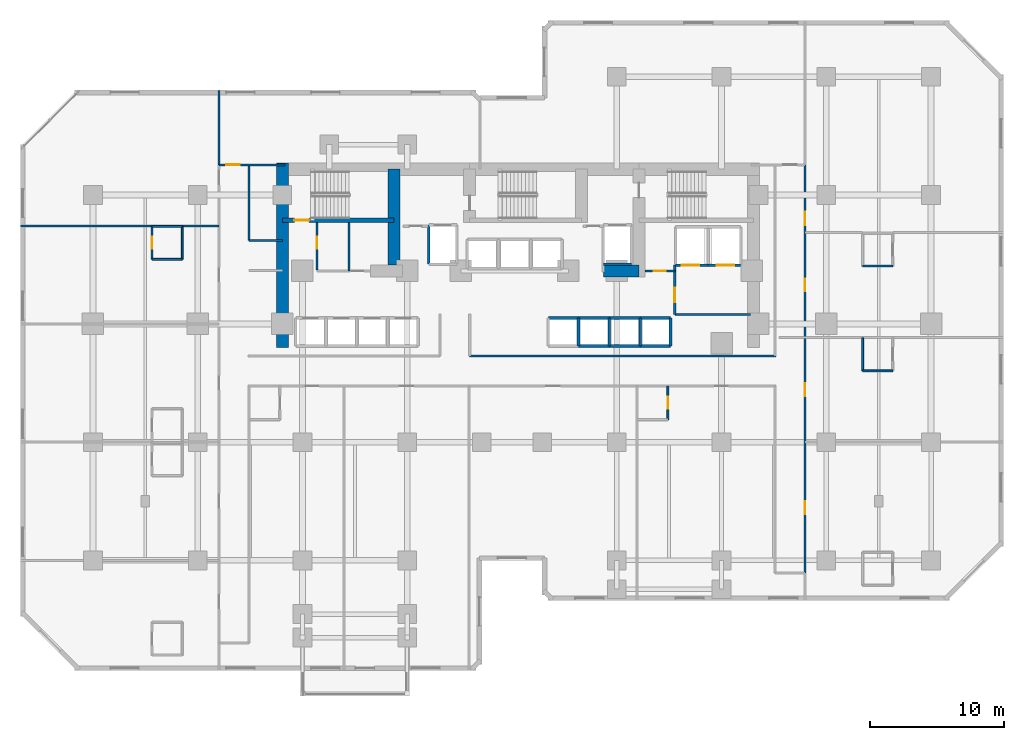
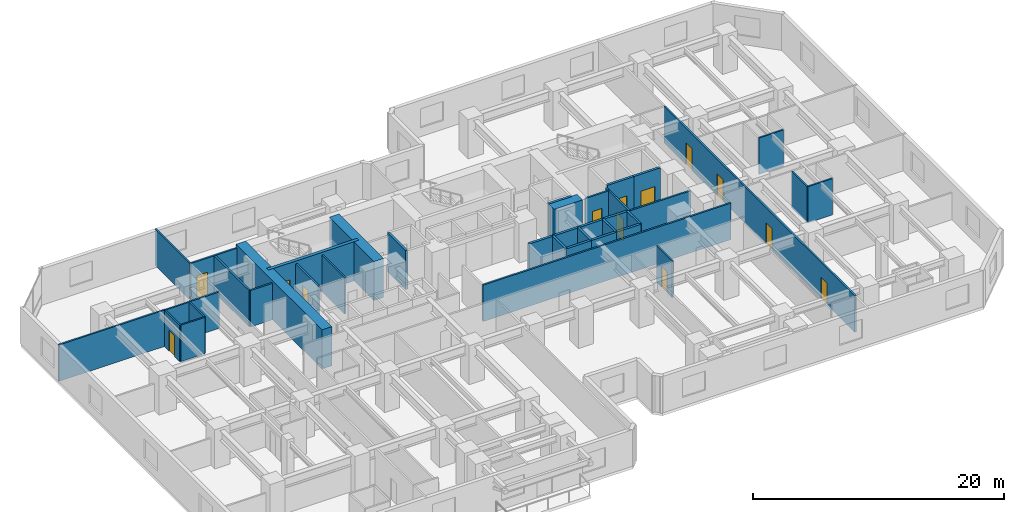
# One storey, part 7 of 11: 40 walls, 13 doors, 13 openings.
"""IFC4 building model written with IfcOpenShell, lengths in metres."""

from ifc_helpers import new_model, si_unit, direction, frame, frame_2d, origin, place, context, subcontext, project, spatial, rectangle, extrude, material, layer, layer_set, type_object, element, fill, save


model = new_model("IFC4")

# Units and contexts
model_context = context("Model", 3, precision=1e-05, world=origin(), true_north=direction((0.0, 1.0)))
body_context = subcontext(model_context, "Body", "Model", "MODEL_VIEW")
ifc_project = project(units=[si_unit("LENGTHUNIT", "METRE"), si_unit("AREAUNIT", "SQUARE_METRE"), si_unit("VOLUMEUNIT", "CUBIC_METRE"), si_unit("PLANEANGLEUNIT", "RADIAN"), si_unit("MASSUNIT", "GRAM", prefix="KILO")], contexts=[model_context])

# Site, building, storey
site_placement = place(None, origin())
site = spatial("IfcSite", under=ifc_project, at=site_placement, CompositionType="ELEMENT")
building_placement = place(site_placement, origin())
building = spatial("IfcBuilding", under=site, at=building_placement, Name="Kestravale Grand Hotel", CompositionType="ELEMENT")
storey_placement = place(building_placement, frame((0.0, 0.0, 37.39990234375)))
storey = spatial("IfcBuildingStorey", under=building, at=storey_placement, Name="L08", CompositionType="ELEMENT", Elevation=37.39990234375)

# Walls
ifc_material_1 = material(Name="Concrete f'c 70 MPa", Category="concrete")
ifc_layer_1 = layer(ifc_material_1, 0.89990234375)
ifc_layer_set_1 = layer_set([ifc_layer_1], Name="EW-CORE-900")
wall_type_1 = type_object("IfcWallType", Name="EW-CORE-900", PredefinedType="SHEAR", material=ifc_layer_set_1)
wall_1_placement = place(storey_placement, frame((21.89990234375, 27.050048828125, 0.0), z_axis=(0.0, 0.0, 1.0), x_axis=(0.0, 1.0, 0.0)))
element("IfcWall", 1, at=wall_1_placement, inside=storey, type_object=wall_type_1, Name="L08 core shear wall W1", PredefinedType="SHEAR", context=body_context, shape_type="SweptSolid", body=[
    extrude(rectangle(XDim=13.719970703125, YDim=0.89990234375, at=frame_2d((6.85986328125, 0.0))), origin(), (0.0, 0.0, 1.0), 3.800048828125),
])
wall_2_placement = place(storey_placement, frame((45.81005859375, 32.75, 0.0), z_axis=(0.0, 0.0, 1.0), x_axis=(1.0, 0.0, 0.0)))
element("IfcWall", 2, at=wall_2_placement, inside=storey, type_object=wall_type_1, Name="L08 core shear wall S2", PredefinedType="SHEAR", context=body_context, shape_type="SweptSolid", body=[
    extrude(rectangle(XDim=2.639892578125, YDim=0.89990234375, at=frame_2d((1.31982421875, 0.0))), origin(), (0.0, 0.0, 1.0), 3.800048828125),
])
wall_3_placement = place(storey_placement, frame((30.219970703125, 33.199951171875, 0.0), z_axis=(0.0, 0.0, 1.0), x_axis=(0.0, 1.0, 0.0)))
element("IfcWall", 3, at=wall_3_placement, inside=storey, type_object=wall_type_1, Name="L08 core shear wall X1", PredefinedType="SHEAR", context=body_context, shape_type="SweptSolid", body=[
    extrude(rectangle(XDim=7.1201171875, YDim=0.89990234375, at=frame_2d((3.56005859375, 0.0))), origin(), (0.0, 0.0, 1.0), 3.800048828125),
])

# Wall, opening, door
ifc_material_2 = material(Name="Concrete f'c 45 MPa", Category="concrete")
ifc_layer_2 = layer(ifc_material_2, 0.300048828125)
ifc_layer_set_2 = layer_set([ifc_layer_2], Name="EW-STAIR-300")
wall_type_2 = type_object("IfcWallType", Name="EW-STAIR-300", PredefinedType="SHEAR", material=ifc_layer_set_2)
wall_4_placement = place(storey_placement, frame((21.89990234375, 36.52001953125, 0.0), z_axis=(0.0, 0.0, 1.0), x_axis=(1.0, 0.0, 0.0)))
wall_4 = element("IfcWall", 4, at=wall_4_placement, inside=storey, type_object=wall_type_2, Name="L08 stair enclosure shear wall SST1", PredefinedType="SHEAR", context=body_context, shape_type="SweptSolid", body=[
    extrude(rectangle(XDim=8.320068359375, YDim=0.300048828125, at=frame_2d((4.16015625, 0.0))), origin(), (0.0, 0.0, 1.0), 3.800048828125),
])
opening_1_placement = place(wall_4_placement, frame((0.89990234375, 0.0, 0.0)))
opening_1 = element("IfcOpeningElement", 5, at=opening_1_placement, cuts=wall_4, Name="Opening D-ST-1100", PredefinedType="OPENING", context=body_context, shape_type="SweptSolid", body=[
    extrude(rectangle(XDim=1.10009765625, YDim=2.14990234375, at=frame_2d((0.550048828125, 1.074951171875))), frame((0.0, 0.159912109375, 0.0), z_axis=(0.0, -1.0, 0.0), x_axis=(1.0, 0.0, 0.0)), (0.0, 0.0, 1.0), 0.320068359375),
])
ifc_material_3 = material(Name="Galvanised 90-minute fire-rated steel stair door", Category="steel")
door_type_1 = type_object("IfcDoorType", Name="D-ST-1100", OperationType="NOTDEFINED", PredefinedType="DOOR", material=ifc_material_3)
door_1_placement = place(opening_1_placement, origin())
door_1 = element("IfcDoor", 6, at=door_1_placement, inside=storey, type_object=door_type_1, Name="L08 Stair ST-1 fire door", OperationType="SINGLE_SWING_RIGHT", OverallHeight=2.14990234375, OverallWidth=1.10009765625, PredefinedType="DOOR", context=body_context, shape_type="SweptSolid", body=[
    extrude(rectangle(XDim=1.10009765625, YDim=2.14990234375, at=frame_2d((0.550048828125, 1.074951171875))), frame((0.0, 0.02490234375, 0.0), z_axis=(0.0, -1.0, 0.0), x_axis=(1.0, 0.0, 0.0)), (0.0, 0.0, 1.0), 0.050048828125),
])
fill(opening_1, door_1)

ifc_material_4 = material(Name="Acoustic fire-rated gypsum board partition", Category="other")
ifc_layer_3 = layer(ifc_material_4, 0.159912109375)
ifc_layer_set_3 = layer_set([ifc_layer_3], Name="IW-CORR-160")
wall_type_3 = type_object("IfcWallType", Name="IW-CORR-160", PredefinedType="PARTITIONING", material=ifc_layer_set_3)
wall_5_placement = place(storey_placement, frame((24.47998046875, 32.800048828125, 0.0), z_axis=(0.0, 0.0, 1.0), x_axis=(0.0, 1.0, 0.0)))
wall_5 = element("IfcWall", 7, at=wall_5_placement, inside=storey, type_object=wall_type_3, Name="L08 west core vestibule wall", PredefinedType="PARTITIONING", context=body_context, shape_type="SweptSolid", body=[
    extrude(rectangle(XDim=3.570068359375, YDim=0.159912109375, at=frame_2d((1.78515625, 0.0))), origin(), (0.0, 0.0, 1.0), 3.5400390625),
])
opening_2_placement = place(wall_5_placement, frame((1.603515625, 0.0, 0.0)))
opening_2 = element("IfcOpeningElement", 8, at=opening_2_placement, cuts=wall_5, Name="Opening D-SH-900", PredefinedType="OPENING", context=body_context, shape_type="SweptSolid", body=[
    extrude(rectangle(XDim=0.89990234375, YDim=2.10009765625, at=frame_2d((0.449951171875, 1.050048828125))), frame((0.0, 0.08984375, 0.0), z_axis=(0.0, -1.0, 0.0), x_axis=(1.0, 0.0, 0.0)), (0.0, 0.0, 1.0), 0.179931640625),
])
ifc_material_5 = material(Name="Galvanised 90-minute shaft and service fire door", Category="steel")
door_type_2 = type_object("IfcDoorType", Name="D-SH-900", OperationType="NOTDEFINED", PredefinedType="DOOR", material=ifc_material_5)
door_2_placement = place(opening_2_placement, origin())
door_2 = element("IfcDoor", 9, at=door_2_placement, inside=storey, type_object=door_type_2, Name="D-L08-HK", OperationType="SINGLE_SWING_RIGHT", OverallHeight=2.10009765625, OverallWidth=0.89990234375, PredefinedType="DOOR", context=body_context, shape_type="SweptSolid", body=[
    extrude(rectangle(XDim=0.89990234375, YDim=2.10009765625, at=frame_2d((0.449951171875, 1.050048828125))), frame((0.0, 0.02490234375, 0.0), z_axis=(0.0, -1.0, 0.0), x_axis=(1.0, 0.0, 0.0)), (0.0, 0.0, 1.0), 0.050048828125),
])
fill(opening_2, door_2)

wall_6_placement = place(storey_placement, frame((51.1201171875, 29.5, 0.0), z_axis=(0.0, 0.0, 1.0), x_axis=(0.0, 1.0, 0.0)))
wall_6 = element("IfcWall", 10, at=wall_6_placement, inside=storey, type_object=wall_type_3, Name="W-L08-SVCLOB-W", PredefinedType="PARTITIONING", context=body_context, shape_type="SweptSolid", body=[
    extrude(rectangle(XDim=3.699951171875, YDim=0.159912109375, at=frame_2d((1.85009765625, 0.0))), origin(), (0.0, 0.0, 1.0), 3.5400390625),
])
opening_3_placement = place(wall_6_placement, frame((0.89990234375, 0.0, 0.0)))
opening_3 = element("IfcOpeningElement", 11, at=opening_3_placement, cuts=wall_6, Name="Opening D-CORR-1100", PredefinedType="OPENING", context=body_context, shape_type="SweptSolid", body=[
    extrude(rectangle(XDim=1.10009765625, YDim=2.14990234375, at=frame_2d((0.550048828125, 1.074951171875))), frame((0.0, 0.08984375, 0.0), z_axis=(0.0, -1.0, 0.0), x_axis=(1.0, 0.0, 0.0)), (0.0, 0.0, 1.0), 0.179931640625),
])
ifc_material_6 = material(Name="Single-leaf service vestibule fire door", Category="steel")
door_type_3 = type_object("IfcDoorType", Name="D-CORR-1100", OperationType="NOTDEFINED", PredefinedType="DOOR", material=ifc_material_6)
door_3_placement = place(opening_3_placement, origin())
door_3 = element("IfcDoor", 12, at=door_3_placement, inside=storey, type_object=door_type_3, Name="L08 service lift lobby door", OperationType="SINGLE_SWING_LEFT", OverallHeight=2.14990234375, OverallWidth=1.10009765625, PredefinedType="DOOR", context=body_context, shape_type="SweptSolid", body=[
    extrude(rectangle(XDim=1.10009765625, YDim=2.14990234375, at=frame_2d((0.550048828125, 1.074951171875))), frame((0.0, 0.02490234375, 0.0), z_axis=(0.0, -1.0, 0.0), x_axis=(1.0, 0.0, 0.0)), (0.0, 0.0, 1.0), 0.050048828125),
])
fill(opening_3, door_3)

# Wall
wall_7_placement = place(storey_placement, frame((51.1201171875, 29.5, 0.0), z_axis=(0.0, 0.0, 1.0), x_axis=(1.0, 0.0, 0.0)))
element("IfcWall", 13, at=wall_7_placement, inside=storey, type_object=wall_type_3, Name="L08 service lift lobby wall", PredefinedType="PARTITIONING", context=body_context, shape_type="SweptSolid", body=[
    extrude(rectangle(XDim=5.6298828125, YDim=0.159912109375, at=frame_2d((2.81494140625, 0.0))), origin(), (0.0, 0.0, 1.0), 3.5400390625),
])

# Wall, opening, door
wall_8_placement = place(storey_placement, frame((48.919921875, 32.75, 0.0), z_axis=(0.0, 0.0, 1.0), x_axis=(1.0, 0.0, 0.0)))
wall_8 = element("IfcWall", 14, at=wall_8_placement, inside=storey, type_object=wall_type_3, Name="W-L08-CES", PredefinedType="PARTITIONING", context=body_context, shape_type="SweptSolid", body=[
    extrude(rectangle(XDim=2.2001953125, YDim=0.159912109375, at=frame_2d((1.10009765625, 0.0))), origin(), (0.0, 0.0, 1.0), 3.5400390625),
])
opening_4_placement = place(wall_8_placement, frame((0.64990234375, 0.0, 0.0)))
opening_4 = element("IfcOpeningElement", 15, at=opening_4_placement, cuts=wall_8, Name="Opening D-SH-860", PredefinedType="OPENING", context=body_context, shape_type="SweptSolid", body=[
    extrude(rectangle(XDim=0.860107421875, YDim=2.050048828125, at=frame_2d((0.43017578125, 1.02490234375))), frame((0.0, 0.08984375, 0.0), z_axis=(0.0, -1.0, 0.0), x_axis=(1.0, 0.0, 0.0)), (0.0, 0.0, 1.0), 0.179931640625),
])
ifc_material_7 = material(Name="Galvanised 90-minute riser fire door", Category="steel")
door_type_4 = type_object("IfcDoorType", Name="D-SH-860", OperationType="NOTDEFINED", PredefinedType="DOOR", material=ifc_material_7)
door_4_placement = place(opening_4_placement, origin())
door_4 = element("IfcDoor", 16, at=door_4_placement, inside=storey, type_object=door_type_4, Name="L08 CSTO1 door", OperationType="SINGLE_SWING_RIGHT", OverallHeight=2.050048828125, OverallWidth=0.860107421875, PredefinedType="DOOR", context=body_context, shape_type="SweptSolid", body=[
    extrude(rectangle(XDim=0.860107421875, YDim=2.050048828125, at=frame_2d((0.43017578125, 1.02490234375))), frame((0.0, 0.02490234375, 0.0), z_axis=(0.0, -1.0, 0.0), x_axis=(1.0, 0.0, 0.0)), (0.0, 0.0, 1.0), 0.050048828125),
])
fill(opening_4, door_4)

# Walls
wall_9_placement = place(storey_placement, frame((35.85009765625, 26.409912109375, 0.0), z_axis=(0.0, 0.0, 1.0), x_axis=(1.0, 0.0, 0.0)))
element("IfcWall", 17, at=wall_9_placement, inside=storey, type_object=wall_type_3, Name="W-L08-CE-N", PredefinedType="PARTITIONING", context=body_context, shape_type="SweptSolid", body=[
    extrude(rectangle(XDim=22.7998046875, YDim=0.159912109375, at=frame_2d((11.39990234375, 0.0))), origin(), (0.0, 0.0, 1.0), 3.5400390625),
])
wall_10_placement = place(storey_placement, frame((19.409912109375, 35.02001953125, 0.0), z_axis=(0.0, 0.0, 1.0), x_axis=(0.0, 1.0, 0.0)))
element("IfcWall", 18, at=wall_10_placement, inside=storey, type_object=wall_type_3, Name="W-L08-SW-EN", PredefinedType="PARTITIONING", context=body_context, shape_type="SweptSolid", body=[
    extrude(rectangle(XDim=5.6298828125, YDim=0.159912109375, at=frame_2d((2.81494140625, 0.0))), origin(), (0.0, 0.0, 1.0), 3.5400390625),
])
wall_11_placement = place(storey_placement, frame((19.409912109375, 35.02001953125, 0.0), z_axis=(0.0, 0.0, 1.0), x_axis=(1.0, 0.0, 0.0)))
element("IfcWall", 19, at=wall_11_placement, inside=storey, type_object=wall_type_3, Name="W-L08-SW-CN", PredefinedType="PARTITIONING", context=body_context, shape_type="SweptSolid", body=[
    extrude(rectangle(XDim=2.489990234375, YDim=0.159912109375, at=frame_2d((1.2451171875, 0.0))), origin(), (0.0, 0.0, 1.0), 3.5400390625),
])

# Wall, openings, doors
wall_12_placement = place(storey_placement, frame((60.81005859375, 10.25, 0.0), z_axis=(0.0, 0.0, 1.0), x_axis=(0.0, 1.0, 0.0)))
wall_12 = element("IfcWall", 20, at=wall_12_placement, inside=storey, type_object=wall_type_3, Name="W-L08-SE-E", PredefinedType="PARTITIONING", context=body_context, shape_type="SweptSolid", body=[
    extrude(rectangle(XDim=30.39990234375, YDim=0.159912109375, at=frame_2d((15.199951171875, 0.0))), origin(), (0.0, 0.0, 1.0), 3.5400390625),
])
opening_5_placement = place(wall_12_placement, frame((4.39990234375, 0.0, 0.0)))
opening_5 = element("IfcOpeningElement", 21, at=opening_5_placement, cuts=wall_12, Name="Opening D-GUEST-950", PredefinedType="OPENING", context=body_context, shape_type="SweptSolid", body=[
    extrude(rectangle(XDim=0.949951171875, YDim=2.10009765625, at=frame_2d((0.47509765625, 1.050048828125))), frame((0.0, 0.08984375, 0.0), z_axis=(0.0, -1.0, 0.0), x_axis=(1.0, 0.0, 0.0)), (0.0, 0.0, 1.0), 0.179931640625),
])
opening_6_placement = place(wall_12_placement, frame((13.175048828125, 0.0, 0.0)))
opening_6 = element("IfcOpeningElement", 22, at=opening_6_placement, cuts=wall_12, Name="Opening D-GUEST-950", PredefinedType="OPENING", context=body_context, shape_type="SweptSolid", body=[
    extrude(rectangle(XDim=0.949951171875, YDim=2.10009765625, at=frame_2d((0.47509765625, 1.050048828125))), frame((0.0, 0.08984375, 0.0), z_axis=(0.0, -1.0, 0.0), x_axis=(1.0, 0.0, 0.0)), (0.0, 0.0, 1.0), 0.179931640625),
])
opening_7_placement = place(wall_12_placement, frame((20.97509765625, 0.0, 0.0)))
opening_7 = element("IfcOpeningElement", 23, at=opening_7_placement, cuts=wall_12, Name="Opening D-GUEST-950", PredefinedType="OPENING", context=body_context, shape_type="SweptSolid", body=[
    extrude(rectangle(XDim=0.949951171875, YDim=2.10009765625, at=frame_2d((0.47509765625, 1.050048828125))), frame((0.0, 0.08984375, 0.0), z_axis=(0.0, -1.0, 0.0), x_axis=(1.0, 0.0, 0.0)), (0.0, 0.0, 1.0), 0.179931640625),
])
opening_8_placement = place(wall_12_placement, frame((25.89990234375, 0.0, 0.0)))
opening_8 = element("IfcOpeningElement", 24, at=opening_8_placement, cuts=wall_12, Name="Opening D-GUEST-1000", PredefinedType="OPENING", context=body_context, shape_type="SweptSolid", body=[
    extrude(rectangle(XDim=1.0, YDim=2.14990234375, at=frame_2d((0.5, 1.074951171875))), frame((0.0, 0.08984375, 0.0), z_axis=(0.0, -1.0, 0.0), x_axis=(1.0, 0.0, 0.0)), (0.0, 0.0, 1.0), 0.179931640625),
])
ifc_material_8 = material(Name="Accessible walnut veneer hotel entrance fire door", Category="wood")
door_type_5 = type_object("IfcDoorType", Name="D-GUEST-1000", OperationType="NOTDEFINED", PredefinedType="DOOR", material=ifc_material_8)
door_5_placement = place(opening_8_placement, origin())
door_5 = element("IfcDoor", 25, at=door_5_placement, inside=storey, type_object=door_type_5, Name="D-L08-AMEW", OperationType="SINGLE_SWING_RIGHT", OverallHeight=2.14990234375, OverallWidth=1.0, PredefinedType="DOOR", context=body_context, shape_type="SweptSolid", body=[
    extrude(rectangle(XDim=1.0, YDim=2.14990234375, at=frame_2d((0.5, 1.074951171875))), frame((0.0, 0.02490234375, 0.0), z_axis=(0.0, -1.0, 0.0), x_axis=(1.0, 0.0, 0.0)), (0.0, 0.0, 1.0), 0.050048828125),
])
fill(opening_8, door_5)
ifc_material_9 = material(Name="Walnut veneer hotel guestroom entrance fire door", Category="wood")
door_type_6 = type_object("IfcDoorType", Name="D-GUEST-950", OperationType="NOTDEFINED", PredefinedType="DOOR", material=ifc_material_9)
door_6_placement = place(opening_5_placement, origin())
door_6 = element("IfcDoor", 26, at=door_6_placement, inside=storey, type_object=door_type_6, Name="D-L08-U07-ENT", OperationType="SINGLE_SWING_LEFT", OverallHeight=2.10009765625, OverallWidth=0.949951171875, PredefinedType="DOOR", context=body_context, shape_type="SweptSolid", body=[
    extrude(rectangle(XDim=0.949951171875, YDim=2.10009765625, at=frame_2d((0.47509765625, 1.050048828125))), frame((0.0, 0.02490234375, 0.0), z_axis=(0.0, -1.0, 0.0), x_axis=(1.0, 0.0, 0.0)), (0.0, 0.0, 1.0), 0.050048828125),
])
fill(opening_5, door_6)
door_7_placement = place(opening_6_placement, origin())
door_7 = element("IfcDoor", 27, at=door_7_placement, inside=storey, type_object=door_type_6, Name="D-L08-U08-ENT", OperationType="SINGLE_SWING_LEFT", OverallHeight=2.10009765625, OverallWidth=0.949951171875, PredefinedType="DOOR", context=body_context, shape_type="SweptSolid", body=[
    extrude(rectangle(XDim=0.949951171875, YDim=2.10009765625, at=frame_2d((0.47509765625, 1.050048828125))), frame((0.0, 0.02490234375, 0.0), z_axis=(0.0, -1.0, 0.0), x_axis=(1.0, 0.0, 0.0)), (0.0, 0.0, 1.0), 0.050048828125),
])
fill(opening_6, door_7)
door_8_placement = place(opening_7_placement, origin())
door_8 = element("IfcDoor", 28, at=door_8_placement, inside=storey, type_object=door_type_6, Name="D-L08-U09-ENT", OperationType="SINGLE_SWING_LEFT", OverallHeight=2.10009765625, OverallWidth=0.949951171875, PredefinedType="DOOR", context=body_context, shape_type="SweptSolid", body=[
    extrude(rectangle(XDim=0.949951171875, YDim=2.10009765625, at=frame_2d((0.47509765625, 1.050048828125))), frame((0.0, 0.02490234375, 0.0), z_axis=(0.0, -1.0, 0.0), x_axis=(1.0, 0.0, 0.0)), (0.0, 0.0, 1.0), 0.050048828125),
])
fill(opening_7, door_8)

# Wall, opening, door
ifc_material_10 = material(Name="Moisture-resistant tile-backer plumbing chase wall", Category="other")
ifc_layer_4 = layer(ifc_material_10, 0.139892578125)
ifc_layer_set_4 = layer_set([ifc_layer_4], Name="IW-PLB-140")
wall_type_4 = type_object("IfcWallType", Name="IW-PLB-140", PredefinedType="PLUMBINGWALL", material=ifc_layer_set_4)
wall_13_placement = place(storey_placement, frame((50.60498046875, 21.679931640625, 0.0), z_axis=(0.0, 0.0, 1.0), x_axis=(0.0, 1.0, 0.0)))
wall_13 = element("IfcWall", 29, at=wall_13_placement, inside=storey, type_object=wall_type_4, Name="W-L08-U02-BE", PredefinedType="PLUMBINGWALL", context=body_context, shape_type="SweptSolid", body=[
    extrude(rectangle(XDim=2.489990234375, YDim=0.139892578125, at=frame_2d((1.2451171875, 0.0))), origin(), (0.0, 0.0, 1.0), 3.5400390625),
])
opening_9_placement = place(wall_13_placement, frame((0.804931640625, 0.0, 0.0)))
opening_9 = element("IfcOpeningElement", 30, at=opening_9_placement, cuts=wall_13, Name="Opening D-BATH-880", PredefinedType="OPENING", context=body_context, shape_type="SweptSolid", body=[
    extrude(rectangle(XDim=0.8798828125, YDim=2.050048828125, at=frame_2d((0.43994140625, 1.02490234375))), frame((0.0, 0.079833984375, 0.0), z_axis=(0.0, -1.0, 0.0), x_axis=(1.0, 0.0, 0.0)), (0.0, 0.0, 1.0), 0.159912109375),
])
ifc_material_11 = material(Name="Moisture-sealed walnut en-suite bathroom door", Category="wood")
door_type_7 = type_object("IfcDoorType", Name="D-BATH-880", OperationType="NOTDEFINED", PredefinedType="DOOR", material=ifc_material_11)
door_9_placement = place(opening_9_placement, origin())
door_9 = element("IfcDoor", 31, at=door_9_placement, inside=storey, type_object=door_type_7, Name="D-L08-U02-BATH", OperationType="SINGLE_SWING_LEFT", OverallHeight=2.050048828125, OverallWidth=0.8798828125, PredefinedType="DOOR", context=body_context, shape_type="SweptSolid", body=[
    extrude(rectangle(XDim=0.8798828125, YDim=2.050048828125, at=frame_2d((0.43994140625, 1.02490234375))), frame((0.0, 0.02490234375, 0.0), z_axis=(0.0, -1.0, 0.0), x_axis=(1.0, 0.0, 0.0)), (0.0, 0.0, 1.0), 0.050048828125),
])
fill(opening_9, door_9)

wall_14_placement = place(storey_placement, frame((12.199951171875, 33.610107421875, 0.0), z_axis=(0.0, 0.0, 1.0), x_axis=(0.0, 1.0, 0.0)))
wall_14 = element("IfcWall", 32, at=wall_14_placement, inside=storey, type_object=wall_type_4, Name="W-L08-U06-BW", PredefinedType="PLUMBINGWALL", context=body_context, shape_type="SweptSolid", body=[
    extrude(rectangle(XDim=2.449951171875, YDim=0.139892578125, at=frame_2d((1.22509765625, 0.0))), origin(), (0.0, 0.0, 1.0), 3.5400390625),
])
opening_10_placement = place(wall_14_placement, frame((0.784912109375, 0.0, 0.0)))
opening_10 = element("IfcOpeningElement", 33, at=opening_10_placement, cuts=wall_14, Name="Opening D-BATH-880", PredefinedType="OPENING", context=body_context, shape_type="SweptSolid", body=[
    extrude(rectangle(XDim=0.8798828125, YDim=2.050048828125, at=frame_2d((0.43994140625, 1.02490234375))), frame((0.0, 0.079833984375, 0.0), z_axis=(0.0, -1.0, 0.0), x_axis=(1.0, 0.0, 0.0)), (0.0, 0.0, 1.0), 0.159912109375),
])
door_10_placement = place(opening_10_placement, origin())
door_10 = element("IfcDoor", 34, at=door_10_placement, inside=storey, type_object=door_type_7, Name="D-L08-U06-BATH", OperationType="SINGLE_SWING_LEFT", OverallHeight=2.050048828125, OverallWidth=0.8798828125, PredefinedType="DOOR", context=body_context, shape_type="SweptSolid", body=[
    extrude(rectangle(XDim=0.8798828125, YDim=2.050048828125, at=frame_2d((0.43994140625, 1.02490234375))), frame((0.0, 0.02490234375, 0.0), z_axis=(0.0, -1.0, 0.0), x_axis=(1.0, 0.0, 0.0)), (0.0, 0.0, 1.0), 0.050048828125),
])
fill(opening_10, door_10)

# Walls
wall_15_placement = place(storey_placement, frame((14.449951171875, 33.610107421875, 0.0), z_axis=(0.0, 0.0, 1.0), x_axis=(0.0, 1.0, 0.0)))
element("IfcWall", 35, at=wall_15_placement, inside=storey, type_object=wall_type_4, Name="W-L08-U06-BE", PredefinedType="PLUMBINGWALL", context=body_context, shape_type="SweptSolid", body=[
    extrude(rectangle(XDim=2.449951171875, YDim=0.139892578125, at=frame_2d((1.22509765625, 0.0))), origin(), (0.0, 0.0, 1.0), 3.5400390625),
])
for number, where, z_axis, x_axis, name in (
    (36, (12.199951171875, 33.610107421875, 0.0), (0.0, 0.0, 1.0), (1.0, 0.0, 0.0), "W-L08-U06-BS"),
    (37, (12.199951171875, 36.06005859375, 0.0), (0.0, 0.0, 1.0), (1.0, 0.0, 0.0), "W-L08-U06-BN"),
):
    element("IfcWall", number, at=place(storey_placement, frame(where, z_axis=z_axis, x_axis=x_axis)), inside=storey, type_object=wall_type_4, Name=name, PredefinedType="PLUMBINGWALL", context=body_context, shape_type="SweptSolid", body=[
        extrude(rectangle(XDim=2.25, YDim=0.139892578125, at=frame_2d((1.125, 0.0))), origin(), (0.0, 0.0, 1.0), 3.5400390625),
    ])
wall_16_placement = place(storey_placement, frame((65.10009765625, 25.31005859375, 0.0), z_axis=(0.0, 0.0, 1.0), x_axis=(0.0, 1.0, 0.0)))
element("IfcWall", 38, at=wall_16_placement, inside=storey, type_object=wall_type_4, Name="W-L08-U08-BW", PredefinedType="PLUMBINGWALL", context=body_context, shape_type="SweptSolid", body=[
    extrude(rectangle(XDim=2.449951171875, YDim=0.139892578125, at=frame_2d((1.22509765625, 0.0))), origin(), (0.0, 0.0, 1.0), 3.5400390625),
])
for number, where, z_axis, x_axis, name in (
    (39, (65.10009765625, 25.31005859375, 0.0), (0.0, 0.0, 1.0), (1.0, 0.0, 0.0), "W-L08-U08-BS"),
    (40, (65.10009765625, 33.110107421875, 0.0), (0.0, 0.0, 1.0), (1.0, 0.0, 0.0), "W-L08-U09-BS"),
):
    element("IfcWall", number, at=place(storey_placement, frame(where, z_axis=z_axis, x_axis=x_axis)), inside=storey, type_object=wall_type_4, Name=name, PredefinedType="PLUMBINGWALL", context=body_context, shape_type="SweptSolid", body=[
        extrude(rectangle(XDim=2.25, YDim=0.139892578125, at=frame_2d((1.125, 0.0))), origin(), (0.0, 0.0, 1.0), 3.5400390625),
    ])
ifc_material_12 = material(Name="Concrete f'c 45 MPa", Category="concrete")
ifc_layer_5 = layer(ifc_material_12, 0.199951171875)
ifc_layer_set_5 = layer_set([ifc_layer_5], Name="IW-SHAFT-200")
wall_type_5 = type_object("IfcWallType", Name="IW-SHAFT-200", PredefinedType="SHEAR", material=ifc_layer_set_5)
for number, where, z_axis, x_axis, name in (
    (41, (43.949951171875, 27.169921875, 0.0), (0.0, 0.0, 1.0), (0.0, 1.0, 0.0), "L08 PL-M2 west shaft wall"),
    (42, (46.25, 27.169921875, 0.0), (0.0, 0.0, 1.0), (0.0, 1.0, 0.0), "L08 PL-M3 west shaft wall"),
    (43, (48.550048828125, 27.169921875, 0.0), (0.0, 0.0, 1.0), (0.0, 1.0, 0.0), "L08 PL-M4 west shaft wall"),
    (44, (50.794921875, 27.169921875, 0.0), (0.0, 0.0, 1.0), (0.0, 1.0, 0.0), "L08 PL-M4 east shaft wall"),
):
    element("IfcWall", number, at=place(storey_placement, frame(where, z_axis=z_axis, x_axis=x_axis)), inside=storey, type_object=wall_type_5, Name=name, PredefinedType="SHEAR", context=body_context, shape_type="SweptSolid", body=[
        extrude(rectangle(XDim=2.06005859375, YDim=0.199951171875, at=frame_2d((1.030029296875, 0.0))), origin(), (0.0, 0.0, 1.0), 3.800048828125),
    ])
wall_17_placement = place(storey_placement, frame((32.804931640625, 33.2451171875, 0.0), z_axis=(0.0, 0.0, 1.0), x_axis=(0.0, 1.0, 0.0)))
element("IfcWall", 45, at=wall_17_placement, inside=storey, type_object=wall_type_5, Name="L08 FL-1 west shaft wall", PredefinedType="SHEAR", context=body_context, shape_type="SweptSolid", body=[
    extrude(rectangle(XDim=2.909912109375, YDim=0.199951171875, at=frame_2d((1.455078125, 0.0))), origin(), (0.0, 0.0, 1.0), 3.800048828125),
])
ifc_material_13 = material(Name="Concrete f'c 45 MPa", Category="concrete")
ifc_layer_6 = layer(ifc_material_13, 0.219970703125)
ifc_layer_set_6 = layer_set([ifc_layer_6], Name="IW-SHAFT-220")
wall_type_6 = type_object("IfcWallType", Name="IW-SHAFT-220", PredefinedType="SHEAR", material=ifc_layer_set_6)
wall_18_placement = place(storey_placement, frame((41.705078125, 29.22998046875, 0.0), z_axis=(0.0, 0.0, 1.0), x_axis=(1.0, 0.0, 0.0)))
element("IfcWall", 46, at=wall_18_placement, inside=storey, type_object=wall_type_6, Name="L08 PL-M1 north shaft wall", PredefinedType="SHEAR", context=body_context, shape_type="SweptSolid", body=[
    extrude(rectangle(XDim=2.244873046875, YDim=0.219970703125, at=frame_2d((1.12255859375, 0.0))), origin(), (0.0, 0.0, 1.0), 3.800048828125),
])
for number, where, z_axis, x_axis, name in (
    (47, (43.949951171875, 29.22998046875, 0.0), (0.0, 0.0, 1.0), (1.0, 0.0, 0.0), "L08 PL-M2 north shaft wall"),
    (48, (43.949951171875, 27.169921875, 0.0), (0.0, 0.0, 1.0), (1.0, 0.0, 0.0), "L08 PL-M2 south shaft wall"),
    (49, (46.25, 29.22998046875, 0.0), (0.0, 0.0, 1.0), (1.0, 0.0, 0.0), "L08 PL-M3 north shaft wall"),
    (50, (46.25, 27.169921875, 0.0), (0.0, 0.0, 1.0), (1.0, 0.0, 0.0), "L08 PL-M3 south shaft wall"),
):
    element("IfcWall", number, at=place(storey_placement, frame(where, z_axis=z_axis, x_axis=x_axis)), inside=storey, type_object=wall_type_6, Name=name, PredefinedType="SHEAR", context=body_context, shape_type="SweptSolid", body=[
        extrude(rectangle(XDim=2.300048828125, YDim=0.219970703125, at=frame_2d((1.14990234375, 0.0))), origin(), (0.0, 0.0, 1.0), 3.800048828125),
    ])
for number, where, z_axis, x_axis, name in (
    (51, (48.550048828125, 29.22998046875, 0.0), (0.0, 0.0, 1.0), (1.0, 0.0, 0.0), "L08 PL-M4 north shaft wall"),
    (52, (48.550048828125, 27.169921875, 0.0), (0.0, 0.0, 1.0), (1.0, 0.0, 0.0), "L08 PL-M4 south shaft wall"),
):
    element("IfcWall", number, at=place(storey_placement, frame(where, z_axis=z_axis, x_axis=x_axis)), inside=storey, type_object=wall_type_6, Name=name, PredefinedType="SHEAR", context=body_context, shape_type="SweptSolid", body=[
        extrude(rectangle(XDim=2.244873046875, YDim=0.219970703125, at=frame_2d((1.12255859375, 0.0))), origin(), (0.0, 0.0, 1.0), 3.800048828125),
    ])

# Wall, opening, door
wall_19_placement = place(storey_placement, frame((51.179931640625, 33.169921875, 0.0), z_axis=(0.0, 0.0, 1.0), x_axis=(1.0, 0.0, 0.0)))
wall_19 = element("IfcWall", 53, at=wall_19_placement, inside=storey, type_object=wall_type_6, Name="L08 SL-1 south shaft wall", PredefinedType="SHEAR", context=body_context, shape_type="SweptSolid", body=[
    extrude(rectangle(XDim=2.420166015625, YDim=0.219970703125, at=frame_2d((1.2099609375, 0.0))), origin(), (0.0, 0.0, 1.0), 3.800048828125),
])
opening_11_placement = place(wall_19_placement, frame((0.469970703125, 0.0, 0.0)))
opening_11 = element("IfcOpeningElement", 54, at=opening_11_placement, cuts=wall_19, Name="Opening LD-SVC-1300", PredefinedType="OPENING", context=body_context, shape_type="SweptSolid", body=[
    extrude(rectangle(XDim=1.300048828125, YDim=2.14990234375, at=frame_2d((0.64990234375, 1.074951171875))), frame((0.0, 0.119873046875, 0.0), z_axis=(0.0, -1.0, 0.0), x_axis=(1.0, 0.0, 0.0)), (0.0, 0.0, 1.0), 0.239990234375),
])
ifc_material_14 = material(Name="Heavy-duty service sliding elevator landing door", Category="steel")
door_type_8 = type_object("IfcDoorType", Name="LD-SVC-1300", OperationType="NOTDEFINED", PredefinedType="DOOR", material=ifc_material_14)
door_11_placement = place(opening_11_placement, origin())
door_11 = element("IfcDoor", 55, at=door_11_placement, inside=storey, type_object=door_type_8, Name="L08 SL-1 elevator landing sliding door", OperationType="DOUBLE_DOOR_SLIDING", OverallHeight=2.14990234375, OverallWidth=1.300048828125, PredefinedType="DOOR", context=body_context, shape_type="SweptSolid", body=[
    extrude(rectangle(XDim=1.300048828125, YDim=2.14990234375, at=frame_2d((0.64990234375, 1.074951171875))), frame((0.0, 0.02490234375, 0.0), z_axis=(0.0, -1.0, 0.0), x_axis=(1.0, 0.0, 0.0)), (0.0, 0.0, 1.0), 0.050048828125),
])
fill(opening_11, door_11)

wall_20_placement = place(storey_placement, frame((53.60009765625, 33.169921875, 0.0), z_axis=(0.0, 0.0, 1.0), x_axis=(1.0, 0.0, 0.0)))
wall_20 = element("IfcWall", 56, at=wall_20_placement, inside=storey, type_object=wall_type_6, Name="L08 SL-2 south shaft wall", PredefinedType="SHEAR", context=body_context, shape_type="SweptSolid", body=[
    extrude(rectangle(XDim=2.419921875, YDim=0.219970703125, at=frame_2d((1.2099609375, 0.0))), origin(), (0.0, 0.0, 1.0), 3.800048828125),
])
opening_12_placement = place(wall_20_placement, frame((0.64990234375, 0.0, 0.0)))
opening_12 = element("IfcOpeningElement", 57, at=opening_12_placement, cuts=wall_20, Name="Opening LD-SVC-1300", PredefinedType="OPENING", context=body_context, shape_type="SweptSolid", body=[
    extrude(rectangle(XDim=1.300048828125, YDim=2.14990234375, at=frame_2d((0.64990234375, 1.074951171875))), frame((0.0, 0.119873046875, 0.0), z_axis=(0.0, -1.0, 0.0), x_axis=(1.0, 0.0, 0.0)), (0.0, 0.0, 1.0), 0.239990234375),
])
door_12_placement = place(opening_12_placement, origin())
door_12 = element("IfcDoor", 58, at=door_12_placement, inside=storey, type_object=door_type_8, Name="L08 SL-2 elevator landing sliding door", OperationType="DOUBLE_DOOR_SLIDING", OverallHeight=2.14990234375, OverallWidth=1.300048828125, PredefinedType="DOOR", context=body_context, shape_type="SweptSolid", body=[
    extrude(rectangle(XDim=1.300048828125, YDim=2.14990234375, at=frame_2d((0.64990234375, 1.074951171875))), frame((0.0, 0.02490234375, 0.0), z_axis=(0.0, -1.0, 0.0), x_axis=(1.0, 0.0, 0.0)), (0.0, 0.0, 1.0), 0.050048828125),
])
fill(opening_12, door_12)

# Walls
wall_21_placement = place(storey_placement, frame((45.804931640625, 33.2451171875, 0.0), z_axis=(0.0, 0.0, 1.0), x_axis=(1.0, 0.0, 0.0)))
element("IfcWall", 59, at=wall_21_placement, inside=storey, type_object=wall_type_6, Name="L08 FL-2 south shaft wall", PredefinedType="SHEAR", context=body_context, shape_type="SweptSolid", body=[
    extrude(rectangle(XDim=2.090087890625, YDim=0.219970703125, at=frame_2d((1.044921875, 0.0))), origin(), (0.0, 0.0, 1.0), 3.800048828125),
])
ifc_material_15 = material(Name="Double-stud STC 52 acoustic demising partition", Category="other")
ifc_layer_7 = layer(ifc_material_15, 0.14990234375)
ifc_layer_set_7 = layer_set([ifc_layer_7], Name="IW-UNIT-150")
wall_type_7 = type_object("IfcWallType", Name="IW-UNIT-150", PredefinedType="PARTITIONING", material=ifc_layer_set_7)
wall_22_placement = place(storey_placement, frame((26.8798828125, 32.75, 0.0), z_axis=(0.0, 0.0, 1.0), x_axis=(0.0, 1.0, 0.0)))
element("IfcWall", 60, at=wall_22_placement, inside=storey, type_object=wall_type_7, Name="W-L08-CC0-1", PredefinedType="PARTITIONING", context=body_context, shape_type="SweptSolid", body=[
    extrude(rectangle(XDim=3.6201171875, YDim=0.14990234375, at=frame_2d((1.81005859375, 0.0))), origin(), (0.0, 0.0, 1.0), 3.5400390625),
])

# Wall, opening, door
wall_23_placement = place(storey_placement, frame((17.18994140625, 40.64990234375, 0.0), z_axis=(0.0, 0.0, 1.0), x_axis=(1.0, 0.0, 0.0)))
wall_23 = element("IfcWall", 61, at=wall_23_placement, inside=storey, type_object=wall_type_7, Name="W-L08-SW-N", PredefinedType="PARTITIONING", context=body_context, shape_type="SweptSolid", body=[
    extrude(rectangle(XDim=4.91015625, YDim=0.14990234375, at=frame_2d((2.455078125, 0.0))), origin(), (0.0, 0.0, 1.0), 3.5400390625),
])
opening_13_placement = place(wall_23_placement, frame((0.550048828125, 0.0, 0.0)))
opening_13 = element("IfcOpeningElement", 62, at=opening_13_placement, cuts=wall_23, Name="Opening D-GUEST-1000", PredefinedType="OPENING", context=body_context, shape_type="SweptSolid", body=[
    extrude(rectangle(XDim=1.0, YDim=2.14990234375, at=frame_2d((0.5, 1.074951171875))), frame((0.0, 0.0849609375, 0.0), z_axis=(0.0, -1.0, 0.0), x_axis=(1.0, 0.0, 0.0)), (0.0, 0.0, 1.0), 0.169921875),
])
door_13_placement = place(opening_13_placement, origin())
door_13 = element("IfcDoor", 63, at=door_13_placement, inside=storey, type_object=door_type_5, Name="L08 NW Gallery Door", OperationType="SINGLE_SWING_RIGHT", OverallHeight=2.14990234375, OverallWidth=1.0, PredefinedType="DOOR", context=body_context, shape_type="SweptSolid", body=[
    extrude(rectangle(XDim=1.0, YDim=2.14990234375, at=frame_2d((0.5, 1.074951171875))), frame((0.0, 0.02490234375, 0.0), z_axis=(0.0, -1.0, 0.0), x_axis=(1.0, 0.0, 0.0)), (0.0, 0.0, 1.0), 0.050048828125),
])
fill(opening_13, door_13)

# Walls
wall_24_placement = place(storey_placement, frame((17.18994140625, 40.64990234375, 0.0), z_axis=(0.0, 0.0, 1.0), x_axis=(0.0, 1.0, 0.0)))
element("IfcWall", 64, at=wall_24_placement, inside=storey, type_object=wall_type_7, Name="W-L08-NGW-W", PredefinedType="PARTITIONING", context=body_context, shape_type="SweptSolid", body=[
    extrude(rectangle(XDim=5.530029296875, YDim=0.14990234375, at=frame_2d((2.76513671875, 0.0))), origin(), (0.0, 0.0, 1.0), 3.5400390625),
])
wall_25_placement = place(storey_placement, frame((2.419921875, 36.10009765625, 0.0), z_axis=(0.0, 0.0, 1.0), x_axis=(1.0, 0.0, 0.0)))
element("IfcWall", 65, at=wall_25_placement, inside=storey, type_object=wall_type_7, Name="W-L08-WW-4", PredefinedType="PARTITIONING", context=body_context, shape_type="SweptSolid", body=[
    extrude(rectangle(XDim=9.780029296875, YDim=0.14990234375, at=frame_2d((4.89013671875, 0.0))), origin(), (0.0, 0.0, 1.0), 3.5400390625),
])
wall_26_placement = place(storey_placement, frame((14.449951171875, 36.10009765625, 0.0), z_axis=(0.0, 0.0, 1.0), x_axis=(1.0, 0.0, 0.0)))
element("IfcWall", 66, at=wall_26_placement, inside=storey, type_object=wall_type_7, Name="W-L08-WW-4", PredefinedType="PARTITIONING", context=body_context, shape_type="SweptSolid", body=[
    extrude(rectangle(XDim=2.739990234375, YDim=0.14990234375, at=frame_2d((1.3701171875, 0.0))), origin(), (0.0, 0.0, 1.0), 3.5400390625),
])

save(model, "model.ifc")
